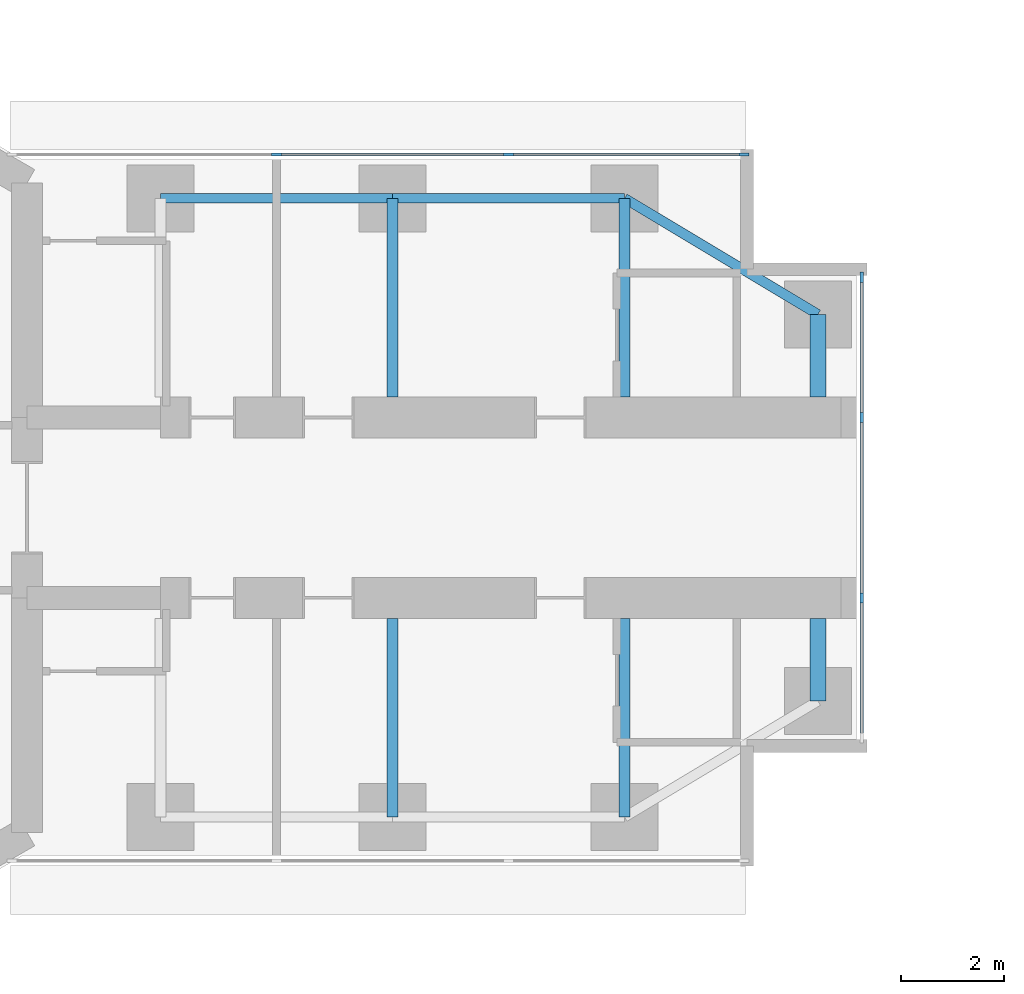
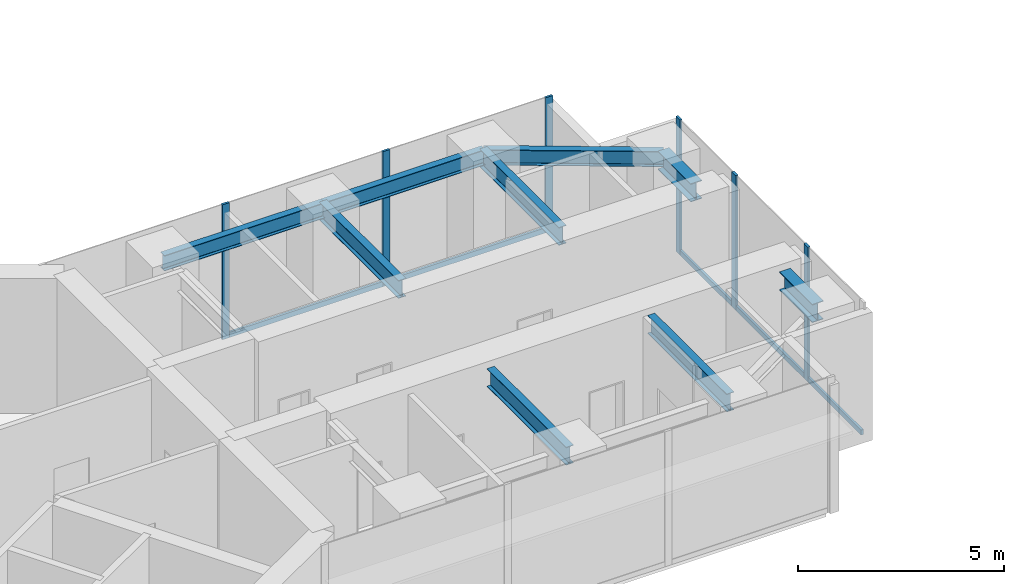
# One storey, part 7 of 22: 11 members, 9 beams, 2 elements without a shape of their own.
"""IFC4 building model written with IfcOpenShell, lengths in metres."""

from ifc_helpers import new_model, si_unit, direction, frame, origin, origin_2d, place, context, subcontext, project, spatial, rectangle, i_section, extrude, material, material_profile, profile_set, type_object, element, aggregate, save


model = new_model("IFC4")

# Units and contexts
model_context = context("Model", 3, precision=1e-05, world=origin(), true_north=direction((0.0, 1.0)))
body_context = subcontext(model_context, "Body", "Model", "MODEL_VIEW")
ifc_project = project(units=[si_unit("LENGTHUNIT", "METRE"), si_unit("AREAUNIT", "SQUARE_METRE"), si_unit("VOLUMEUNIT", "CUBIC_METRE"), si_unit("PLANEANGLEUNIT", "RADIAN"), si_unit("MASSUNIT", "GRAM", prefix="KILO")], contexts=[model_context])

# Site, building, storey
site_placement = place(None, origin())
site = spatial("IfcSite", under=ifc_project, at=site_placement, CompositionType="ELEMENT")
building_placement = place(site_placement, origin())
building = spatial("IfcBuilding", under=site, at=building_placement, Name="Upepo Twin Towers", CompositionType="ELEMENT")
storey_placement = place(building_placement, frame((0.0, 0.0, 129.5)))
storey = spatial("IfcBuildingStorey", under=building, at=storey_placement, Name="L31", CompositionType="ELEMENT", Elevation=129.5)

# Beams
ifc_material_1 = material(Name="Steel S355", Category="steel")
ifc_material_profile_1 = material_profile(ifc_material_1, i_section(OverallWidth=0.1904296875, OverallDepth=0.45703125, WebThickness=0.009033203125, FlangeThickness=0.014404296875, FilletRadius=0.01025390625, at=origin_2d()), Name="UB 457x191x74")
ifc_profile_set_1 = profile_set([ifc_material_profile_1], Name="Steel S355")
beam_type_1 = type_object("IfcBeamType", Name="Beam UB 457x191x74", PredefinedType="BEAM", material=ifc_profile_set_1)
for number, where, z_axis, x_axis, name in (
    (1, (13.5, 6.0, 3.571533203125), (1.0, 0.0, 0.0), (0.0, 1.0, 0.0), "T1 edge beam AL 13.5-18.0"),
    (2, (18.0, 6.0, 3.571533203125), (1.0, 0.0, 0.0), (0.0, 1.0, 0.0), "T1 edge beam AL 18.0-22.5"),
):
    element("IfcBeam", number, at=place(storey_placement, frame(where, z_axis=z_axis, x_axis=x_axis)), inside=storey, type_object=beam_type_1, Name=name, PredefinedType="BEAM", context=body_context, shape_type="SweptSolid", body=[
        extrude(i_section(OverallWidth=0.1904296875, OverallDepth=0.45703125, WebThickness=0.009033203125, FlangeThickness=0.014404296875, FilletRadius=0.01025390625, at=origin_2d()), origin(), (0.0, 0.0, 1.0), 4.5),
    ])
beam_placement = place(storey_placement, frame((22.5, 6.0, 3.571533203125), z_axis=(0.857492925713, -0.514495755428, 0.0), x_axis=(0.514495755428, 0.857492925713, 0.0)))
element("IfcBeam", 3, at=beam_placement, inside=storey, type_object=beam_type_1, Name="T1 nose edge beam AL", PredefinedType="BEAM", context=body_context, shape_type="SweptSolid", body=[
    extrude(i_section(OverallWidth=0.1904296875, OverallDepth=0.45703125, WebThickness=0.009033203125, FlangeThickness=0.014404296875, FilletRadius=0.01025390625, at=origin_2d()), origin(), (0.0, 0.0, 1.0), 4.373291015625),
])
ifc_material_2 = material(Name="Steel S355", Category="steel")
ifc_material_profile_2 = material_profile(ifc_material_2, i_section(OverallWidth=0.209228515625, OverallDepth=0.533203125, WebThickness=0.010009765625, FlangeThickness=0.015625, FilletRadius=0.0126953125, at=origin_2d()), Name="UB 533x210x92")
ifc_profile_set_2 = profile_set([ifc_material_profile_2], Name="Steel S355")
beam_type_2 = type_object("IfcBeamType", Name="Beam UB 533x210x92", PredefinedType="BEAM", material=ifc_profile_set_2)
for number, where, z_axis, x_axis, name in (
    (4, (18.0, 6.0, 3.533447265625), (0.0, -1.0, 0.0), (1.0, 0.0, 0.0), "T1 girder AL at 18.0"),
    (5, (22.5, 6.0, 3.533447265625), (0.0, -1.0, 0.0), (1.0, 0.0, 0.0), "T1 girder AL at 22.5"),
    (6, (18.0, -6.0, 3.533447265625), (0.0, 1.0, 0.0), (-1.0, 0.0, 0.0), "T1 girder AR at 18.0"),
    (7, (22.5, -6.0, 3.533447265625), (0.0, 1.0, 0.0), (-1.0, 0.0, 0.0), "T1 girder AR at 22.5"),
):
    element("IfcBeam", number, at=place(storey_placement, frame(where, z_axis=z_axis, x_axis=x_axis)), inside=storey, type_object=beam_type_2, Name=name, PredefinedType="BEAM", context=body_context, shape_type="SweptSolid", body=[
        extrude(i_section(OverallWidth=0.209228515625, OverallDepth=0.533203125, WebThickness=0.010009765625, FlangeThickness=0.015625, FilletRadius=0.0126953125, at=origin_2d()), origin(), (0.0, 0.0, 1.0), 3.85009765625),
    ])
ifc_material_3 = material(Name="Steel S355", Category="steel")
ifc_material_profile_3 = material_profile(ifc_material_3, i_section(OverallWidth=0.31201171875, OverallDepth=0.54345703125, WebThickness=0.0126953125, FlangeThickness=0.020263671875, FilletRadius=0.0126953125, at=origin_2d()), Name="UB 533x312x150")
ifc_profile_set_3 = profile_set([ifc_material_profile_3], Name="Steel S355")
beam_type_3 = type_object("IfcBeamType", Name="Beam UB 533x312x150", PredefinedType="BEAM", material=ifc_profile_set_3)
for number, where, z_axis, x_axis, name in (
    (8, (26.25, 3.75, 3.5283203125), (0.0, -1.0, 0.0), (1.0, 0.0, 0.0), "T1 nose beam AL"),
    (9, (26.25, -3.75, 3.5283203125), (0.0, 1.0, 0.0), (-1.0, 0.0, 0.0), "T1 nose beam AR"),
):
    element("IfcBeam", number, at=place(storey_placement, frame(where, z_axis=z_axis, x_axis=x_axis)), inside=storey, type_object=beam_type_3, Name=name, PredefinedType="BEAM", context=body_context, shape_type="SweptSolid", body=[
        extrude(i_section(OverallWidth=0.31201171875, OverallDepth=0.54345703125, WebThickness=0.0126953125, FlangeThickness=0.020263671875, FilletRadius=0.0126953125, at=origin_2d()), origin(), (0.0, 0.0, 1.0), 1.60009765625),
    ])

# Curtain wall, members
ifc_material_4 = material(Name="Aluminium and fritted glass", Category="aluminium")
curtain_wall_type = type_object("IfcCurtainWallType", Name="Tower curtain wall TW2, fritted glass", PredefinedType="NOTDEFINED", material=ifc_material_4)
curtain_wall_1_placement = place(storey_placement, origin())
curtain_wall_1 = element("IfcCurtainWall", 10, at=curtain_wall_1_placement, inside=storey, type_object=curtain_wall_type, Name="T1 L31 wing A flank L curtain wall", PredefinedType="NOTDEFINED")
ifc_material_5 = material(Name="Aluminium mullion", Category="aluminium")
ifc_material_profile_4 = material_profile(ifc_material_5, rectangle(XDim=0.06494140625, YDim=0.199951171875, at=origin_2d()), Name="MULLION 65x200")
ifc_profile_set_4 = profile_set([ifc_material_profile_4], Name="Aluminium mullion")
member_type_1 = type_object("IfcMemberType", Name="Mullion 65x200 TW2", PredefinedType="MULLION", material=ifc_profile_set_4)
member_1_placement = place(storey_placement, frame((15.75, 6.85009765625, 0.0), z_axis=(0.0, 0.0, 1.0), x_axis=(0.0, 1.0, 0.0)))
member_1 = element("IfcMember", 11, at=member_1_placement, type_object=member_type_1, Name="T1 L31 wing A flank L curtain wall mullion 2", PredefinedType="MULLION", context=body_context, shape_type="SweptSolid", body=[
    extrude(rectangle(XDim=0.06494140625, YDim=0.199951171875, at=origin_2d()), origin(), (0.0, 0.0, 1.0), 4.0),
])
member_2_placement = place(storey_placement, frame((20.25, 6.85009765625, 0.0), z_axis=(0.0, 0.0, 1.0), x_axis=(0.0, 1.0, 0.0)))
member_2 = element("IfcMember", 12, at=member_2_placement, type_object=member_type_1, Name="T1 L31 wing A flank L curtain wall mullion 3", PredefinedType="MULLION", context=body_context, shape_type="SweptSolid", body=[
    extrude(rectangle(XDim=0.06494140625, YDim=0.199951171875, at=origin_2d()), origin(), (0.0, 0.0, 1.0), 4.0),
])
member_3_placement = place(storey_placement, frame((24.8173828125, 6.85009765625, 0.0), z_axis=(0.0, 0.0, 1.0), x_axis=(0.0, 1.0, 0.0)))
member_3 = element("IfcMember", 13, at=member_3_placement, type_object=member_type_1, Name="T1 L31 wing A flank L curtain wall mullion 4", PredefinedType="MULLION", context=body_context, shape_type="SweptSolid", body=[
    extrude(rectangle(XDim=0.06494140625, YDim=0.199951171875, at=origin_2d()), origin(), (0.0, 0.0, 1.0), 4.0),
])

curtain_wall_2_placement = place(storey_placement, origin())
curtain_wall_2 = element("IfcCurtainWall", 14, at=curtain_wall_2_placement, inside=storey, type_object=curtain_wall_type, Name="T1 L31 wing A nose curtain wall", PredefinedType="NOTDEFINED")
member_4_placement = place(storey_placement, frame((27.10009765625, -1.75, 0.0), z_axis=(0.0, 0.0, 1.0), x_axis=(-1.0, 0.0, 0.0)))
member_4 = element("IfcMember", 15, at=member_4_placement, type_object=member_type_1, Name="T1 L31 wing A nose curtain wall mullion 2", PredefinedType="MULLION", context=body_context, shape_type="SweptSolid", body=[
    extrude(rectangle(XDim=0.06494140625, YDim=0.199951171875, at=origin_2d()), origin(), (0.0, 0.0, 1.0), 4.0),
])
member_5_placement = place(storey_placement, frame((27.10009765625, 1.75, 0.0), z_axis=(0.0, 0.0, 1.0), x_axis=(-1.0, 0.0, 0.0)))
member_5 = element("IfcMember", 16, at=member_5_placement, type_object=member_type_1, Name="T1 L31 wing A nose curtain wall mullion 3", PredefinedType="MULLION", context=body_context, shape_type="SweptSolid", body=[
    extrude(rectangle(XDim=0.06494140625, YDim=0.199951171875, at=origin_2d()), origin(), (0.0, 0.0, 1.0), 4.0),
])
member_6_placement = place(storey_placement, frame((27.10009765625, 4.467529296875, 0.0), z_axis=(0.0, 0.0, 1.0), x_axis=(-1.0, 0.0, 0.0)))
member_6 = element("IfcMember", 17, at=member_6_placement, type_object=member_type_1, Name="T1 L31 wing A nose curtain wall mullion 4", PredefinedType="MULLION", context=body_context, shape_type="SweptSolid", body=[
    extrude(rectangle(XDim=0.06494140625, YDim=0.199951171875, at=origin_2d()), origin(), (0.0, 0.0, 1.0), 4.0),
])

# Member
ifc_material_6 = material(Name="Aluminium transom", Category="aluminium")
ifc_material_profile_5 = material_profile(ifc_material_6, rectangle(XDim=0.06494140625, YDim=0.14990234375, at=origin_2d()), Name="TRANSOM 65x150")
ifc_profile_set_5 = profile_set([ifc_material_profile_5], Name="Aluminium transom")
member_type_2 = type_object("IfcMemberType", Name="Transom 65x150 TW2", PredefinedType="USERDEFINED", material=ifc_profile_set_5)
member_7_placement = place(storey_placement, frame((15.782470703125, 6.85009765625, 0.074951171875), z_axis=(1.0, 0.0, 0.0), x_axis=(0.0, 1.0, 0.0)))
member_7 = element("IfcMember", 18, at=member_7_placement, type_object=member_type_2, Name="T1 L31 wing A flank L curtain wall transom 2", ObjectType="TRANSOM", PredefinedType="USERDEFINED", context=body_context, shape_type="SweptSolid", body=[
    extrude(rectangle(XDim=0.06494140625, YDim=0.14990234375, at=origin_2d()), origin(), (0.0, 0.0, 1.0), 4.43505859375),
])

member_8_placement = place(storey_placement, frame((20.282470703125, 6.85009765625, 0.074951171875), z_axis=(1.0, 0.0, 0.0), x_axis=(0.0, 1.0, 0.0)))
member_8 = element("IfcMember", 19, at=member_8_placement, type_object=member_type_2, Name="T1 L31 wing A flank L curtain wall transom 3", ObjectType="TRANSOM", PredefinedType="USERDEFINED", context=body_context, shape_type="SweptSolid", body=[
    extrude(rectangle(XDim=0.06494140625, YDim=0.14990234375, at=origin_2d()), origin(), (0.0, 0.0, 1.0), 4.50244140625),
])

aggregate(curtain_wall_1, [member_1, member_2, member_3, member_7, member_8])

member_9_placement = place(storey_placement, frame((27.10009765625, -4.43505859375, 0.074951171875), z_axis=(0.0, 1.0, 0.0), x_axis=(-1.0, 0.0, 0.0)))
member_9 = element("IfcMember", 20, at=member_9_placement, type_object=member_type_2, Name="T1 L31 wing A nose curtain wall transom 1", ObjectType="TRANSOM", PredefinedType="USERDEFINED", context=body_context, shape_type="SweptSolid", body=[
    extrude(rectangle(XDim=0.06494140625, YDim=0.14990234375, at=origin_2d()), origin(), (0.0, 0.0, 1.0), 2.652587890625),
])

member_10_placement = place(storey_placement, frame((27.10009765625, -1.717529296875, 0.074951171875), z_axis=(0.0, 1.0, 0.0), x_axis=(-1.0, 0.0, 0.0)))
member_10 = element("IfcMember", 21, at=member_10_placement, type_object=member_type_2, Name="T1 L31 wing A nose curtain wall transom 2", ObjectType="TRANSOM", PredefinedType="USERDEFINED", context=body_context, shape_type="SweptSolid", body=[
    extrude(rectangle(XDim=0.06494140625, YDim=0.14990234375, at=origin_2d()), origin(), (0.0, 0.0, 1.0), 3.43505859375),
])

member_11_placement = place(storey_placement, frame((27.10009765625, 1.782470703125, 0.074951171875), z_axis=(0.0, 1.0, 0.0), x_axis=(-1.0, 0.0, 0.0)))
member_11 = element("IfcMember", 22, at=member_11_placement, type_object=member_type_2, Name="T1 L31 wing A nose curtain wall transom 3", ObjectType="TRANSOM", PredefinedType="USERDEFINED", context=body_context, shape_type="SweptSolid", body=[
    extrude(rectangle(XDim=0.06494140625, YDim=0.14990234375, at=origin_2d()), origin(), (0.0, 0.0, 1.0), 2.652587890625),
])

aggregate(curtain_wall_2, [member_4, member_5, member_6, member_9, member_10, member_11])

save(model, "model.ifc")
